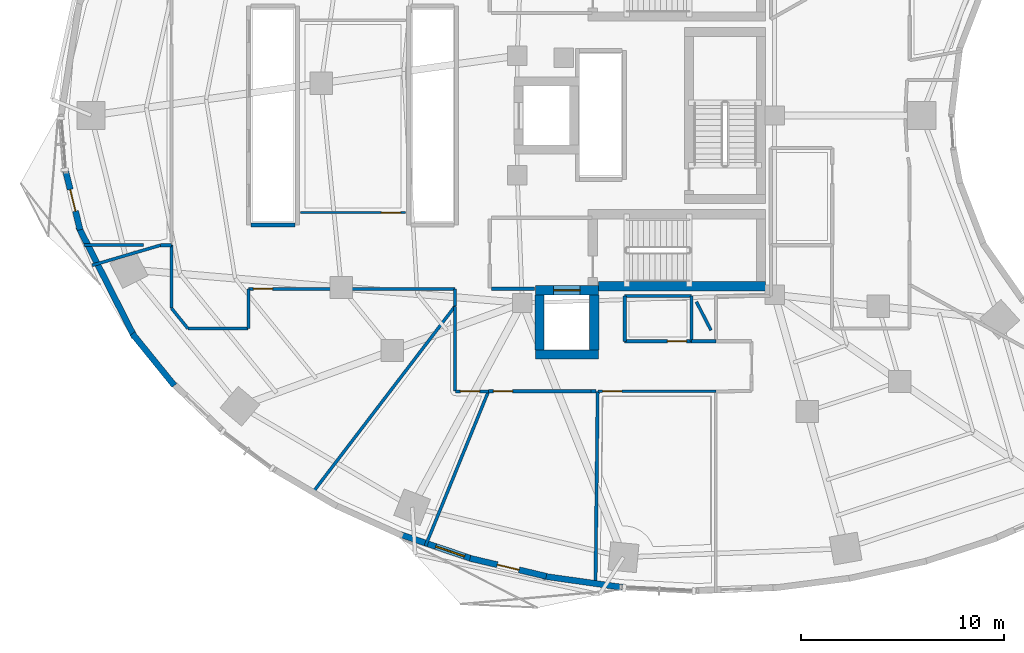
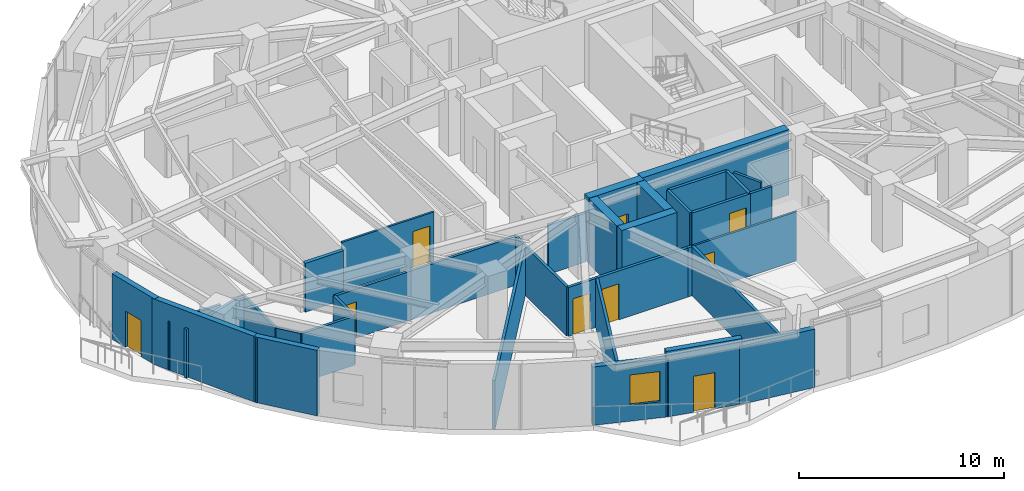
# One storey, part 8 of 15: 37 walls, 9 doors, 1 window, 10 openings.
"""IFC4 building model written with IfcOpenShell, lengths in metres."""

from ifc_helpers import new_model, si_unit, direction, frame, frame_2d, origin, place, context, subcontext, project, spatial, rectangle, extrude, material, layer, layer_set, type_object, element, fill, save


model = new_model("IFC4")

# Units and contexts
model_context = context("Model", 3, precision=1e-05, world=origin(), true_north=direction((0.0, 1.0)))
body_context = subcontext(model_context, "Body", "Model", "MODEL_VIEW")
ifc_project = project(units=[si_unit("LENGTHUNIT", "METRE"), si_unit("AREAUNIT", "SQUARE_METRE"), si_unit("VOLUMEUNIT", "CUBIC_METRE"), si_unit("PLANEANGLEUNIT", "RADIAN"), si_unit("MASSUNIT", "GRAM", prefix="KILO")], contexts=[model_context])

# Site, building, storey
site_placement = place(None, origin())
site = spatial("IfcSite", under=ifc_project, at=site_placement, CompositionType="ELEMENT")
building_placement = place(site_placement, origin())
building = spatial("IfcBuilding", under=site, at=building_placement, Name="Korentha Bioscience Tower", CompositionType="ELEMENT")
storey_placement = place(building_placement, frame((0.0, 0.0, 38.39990234375)))
storey = spatial("IfcBuildingStorey", under=building, at=storey_placement, Name="L08", CompositionType="ELEMENT", Elevation=38.39990234375)

# Wall, opening, door
ifc_material_1 = material(Name="Double-Stud Acoustic Gypsum", Category="gypsum")
ifc_layer_1 = layer(ifc_material_1, 0.14990234375, Name="Double-Stud Acoustic Gypsum")
ifc_layer_set_1 = layer_set([ifc_layer_1], Name="Double-Stud Acoustic Gypsum (IW-L150)")
wall_type_1 = type_object("IfcWallType", Name="Acoustic Laboratory Partition Wall 150", PredefinedType="PARTITIONING", material=ifc_layer_set_1)
wall_1_placement = place(storey_placement, frame((11.590087890625, 18.43994140625, 0.0), z_axis=(0.0, 0.0, 1.0), x_axis=(1.0, 0.0, 0.0)))
wall_1 = element("IfcWall", 1, at=wall_1_placement, inside=storey, type_object=wall_type_1, Name="L08 Research Colloquium Seminar Room 02 Entrance Wall", PredefinedType="PARTITIONING", context=body_context, shape_type="SweptSolid", body=[
    extrude(rectangle(XDim=10.199951171875, YDim=0.14990234375, at=frame_2d((5.10009765625, 0.0))), origin(), (0.0, 0.0, 1.0), 2.91015625),
])
opening_1_placement = place(wall_1_placement, frame((0.239990234375, 0.0, 0.0)))
opening_1 = element("IfcOpeningElement", 2, at=opening_1_placement, cuts=wall_1, Name="Opening ID-10R", PredefinedType="OPENING", context=body_context, shape_type="SweptSolid", body=[
    extrude(rectangle(XDim=0.949951171875, YDim=2.14990234375, at=frame_2d((0.47509765625, 1.074951171875))), frame((0.0, 0.08984375, 0.0), z_axis=(0.0, -1.0, 0.0), x_axis=(1.0, 0.0, 0.0)), (0.0, 0.0, 1.0), 0.1796875),
])
ifc_material_2 = material(Name="Phenolic Laminate Timber Core", Category="wood")
door_type_1 = type_object("IfcDoorType", Name="Laboratory Single Leaf Door 950x2150 Right", OperationType="SINGLE_SWING_RIGHT", PredefinedType="DOOR", material=ifc_material_2)
door_1_placement = place(opening_1_placement, origin())
door_1 = element("IfcDoor", 3, at=door_1_placement, inside=storey, type_object=door_type_1, Name="L08 Research Colloquium Seminar Room 02 Door", OperationType="SINGLE_SWING_RIGHT", OverallHeight=2.14990234375, OverallWidth=0.949951171875, PredefinedType="DOOR", context=body_context, shape_type="SweptSolid", body=[
    extrude(rectangle(XDim=0.949951171875, YDim=2.14990234375, at=frame_2d((0.47509765625, 1.074951171875))), frame((0.0, 0.02490234375, 0.0), z_axis=(0.0, -1.0, 0.0), x_axis=(1.0, 0.0, 0.0)), (0.0, 0.0, 1.0), 0.050048828125),
])
fill(opening_1, door_1)

wall_2_placement = place(storey_placement, frame((21.800048828125, 13.389892578125, 0.0), z_axis=(0.0, 0.0, 1.0), x_axis=(1.0, 0.0, 0.0)))
wall_2 = element("IfcWall", 4, at=wall_2_placement, inside=storey, type_object=wall_type_1, Name="L08 Staff Pantry Kitchenette 03 Entrance Wall", PredefinedType="PARTITIONING", context=body_context, shape_type="SweptSolid", body=[
    extrude(rectangle(XDim=1.629150390625, YDim=0.14990234375, at=frame_2d((0.814453125, 0.0))), origin(), (0.0, 0.0, 1.0), 2.91015625),
])
opening_2_placement = place(wall_2_placement, frame((0.239990234375, 0.0, 0.0)))
opening_2 = element("IfcOpeningElement", 5, at=opening_2_placement, cuts=wall_2, Name="Opening ID-10L", PredefinedType="OPENING", context=body_context, shape_type="SweptSolid", body=[
    extrude(rectangle(XDim=0.949951171875, YDim=2.14990234375, at=frame_2d((0.47509765625, 1.074951171875))), frame((0.0, 0.08984375, 0.0), z_axis=(0.0, -1.0, 0.0), x_axis=(1.0, 0.0, 0.0)), (0.0, 0.0, 1.0), 0.1796875),
])
door_type_2 = type_object("IfcDoorType", Name="Laboratory Single Leaf Door 950x2150 Left", OperationType="SINGLE_SWING_LEFT", PredefinedType="DOOR", material=ifc_material_2)
door_2_placement = place(opening_2_placement, origin())
door_2 = element("IfcDoor", 6, at=door_2_placement, inside=storey, type_object=door_type_2, Name="L08 Staff Pantry Kitchenette 03 Door", OperationType="SINGLE_SWING_LEFT", OverallHeight=2.14990234375, OverallWidth=0.949951171875, PredefinedType="DOOR", context=body_context, shape_type="SweptSolid", body=[
    extrude(rectangle(XDim=0.949951171875, YDim=2.14990234375, at=frame_2d((0.47509765625, 1.074951171875))), frame((0.0, 0.02490234375, 0.0), z_axis=(0.0, -1.0, 0.0), x_axis=(1.0, 0.0, 0.0)), (0.0, 0.0, 1.0), 0.050048828125),
])
fill(opening_2, door_2)

# Walls
wall_3_placement = place(storey_placement, frame((3.87939453125, 19.60546875, 0.0), z_axis=(0.0, 0.0, 1.0), x_axis=(0.959249199887, 0.282561449097, 0.0)))
element("IfcWall", 7, at=wall_3_placement, inside=storey, type_object=wall_type_1, Name="L08 Interior Partition 024", PredefinedType="PARTITIONING", context=body_context, shape_type="SweptSolid", body=[
    extrude(rectangle(XDim=3.51220703125, YDim=0.14990234375, at=frame_2d((1.756103515625, 0.0))), origin(), (0.0, 0.0, 1.0), 2.91015625),
])
wall_4_placement = place(storey_placement, frame((7.24853515625, 20.597900390625, 0.0), z_axis=(0.0, 0.0, 1.0), x_axis=(1.0, 0.0, 0.0)))
element("IfcWall", 8, at=wall_4_placement, inside=storey, type_object=wall_type_1, Name="L08 Interior Partition 025", PredefinedType="PARTITIONING", context=body_context, shape_type="SweptSolid", body=[
    extrude(rectangle(XDim=0.54150390625, YDim=0.14990234375, at=frame_2d((0.270751953125, 0.0))), origin(), (0.0, 0.0, 1.0), 2.91015625),
])
wall_5_placement = place(storey_placement, frame((7.7900390625, 20.597900390625, 0.0), z_axis=(0.0, 0.0, 1.0), x_axis=(0.0, -1.0, 0.0)))
element("IfcWall", 9, at=wall_5_placement, inside=storey, type_object=wall_type_1, Name="L08 Interior Partition 026", PredefinedType="PARTITIONING", context=body_context, shape_type="SweptSolid", body=[
    extrude(rectangle(XDim=3.09912109375, YDim=0.14990234375, at=frame_2d((1.549560546875, 0.0))), origin(), (0.0, 0.0, 1.0), 2.91015625),
])
wall_6_placement = place(storey_placement, frame((7.792236328125, 17.492431640625, 0.0), z_axis=(0.0, 0.0, 1.0), x_axis=(0.629225554682, -0.777222748854, 0.0)))
element("IfcWall", 10, at=wall_6_placement, inside=storey, type_object=wall_type_1, Name="L08 Interior Partition 027", PredefinedType="PARTITIONING", context=body_context, shape_type="SweptSolid", body=[
    extrude(rectangle(XDim=1.28515625, YDim=0.14990234375, at=frame_2d((0.642578125, 0.0))), origin(), (0.0, 0.0, 1.0), 2.91015625),
])
wall_7_placement = place(storey_placement, frame((8.608642578125, 16.489990234375, 0.0), z_axis=(0.0, 0.0, 1.0), x_axis=(1.0, 0.0, 0.0)))
element("IfcWall", 11, at=wall_7_placement, inside=storey, type_object=wall_type_1, Name="L08 Interior Partition 028", PredefinedType="PARTITIONING", context=body_context, shape_type="SweptSolid", body=[
    extrude(rectangle(XDim=2.971435546875, YDim=0.14990234375, at=frame_2d((1.48583984375, 0.0))), origin(), (0.0, 0.0, 1.0), 2.91015625),
])
wall_8_placement = place(storey_placement, frame((11.590087890625, 16.5, 0.0), z_axis=(0.0, 0.0, 1.0), x_axis=(0.0, 1.0, 0.0)))
element("IfcWall", 12, at=wall_8_placement, inside=storey, type_object=wall_type_1, Name="L08 Interior Partition 029", PredefinedType="PARTITIONING", context=body_context, shape_type="SweptSolid", body=[
    extrude(rectangle(XDim=1.93994140625, YDim=0.14990234375, at=frame_2d((0.969970703125, 0.0))), origin(), (0.0, 0.0, 1.0), 2.91015625),
])
wall_9_placement = place(storey_placement, frame((21.7900390625, 18.43994140625, 0.0), z_axis=(0.0, 0.0, 1.0), x_axis=(0.0, -1.0, 0.0)))
element("IfcWall", 13, at=wall_9_placement, inside=storey, type_object=wall_type_1, Name="L08 Interior Partition 030", PredefinedType="PARTITIONING", context=body_context, shape_type="SweptSolid", body=[
    extrude(rectangle(XDim=0.842041015625, YDim=0.14990234375, at=frame_2d((0.4208984375, 0.0))), origin(), (0.0, 0.0, 1.0), 2.91015625),
])
wall_10_placement = place(storey_placement, frame((21.7900390625, 17.597900390625, 0.0), z_axis=(0.0, 0.0, 1.0), x_axis=(-0.606985155119, -0.794713169304, 0.0)))
element("IfcWall", 14, at=wall_10_placement, inside=storey, type_object=wall_type_1, Name="L08 Interior Partition 031", PredefinedType="PARTITIONING", context=body_context, shape_type="SweptSolid", body=[
    extrude(rectangle(XDim=11.67724609375, YDim=0.14990234375, at=frame_2d((5.838623046875, 0.0))), origin(), (0.0, 0.0, 1.0), 2.91015625),
])
wall_11_placement = place(storey_placement, frame((21.7900390625, 17.581298828125, 0.0), z_axis=(0.0, 0.0, 1.0), x_axis=(0.0, -1.0, 0.0)))
element("IfcWall", 15, at=wall_11_placement, inside=storey, type_object=wall_type_1, Name="L08 Interior Partition 032", PredefinedType="PARTITIONING", context=body_context, shape_type="SweptSolid", body=[
    extrude(rectangle(XDim=4.181396484375, YDim=0.14990234375, at=frame_2d((2.0908203125, 0.0))), origin(), (0.0, 0.0, 1.0), 2.91015625),
])
wall_12_placement = place(storey_placement, frame((23.42919921875, 13.389892578125, 0.0), z_axis=(0.0, 0.0, 1.0), x_axis=(-0.377151920135, -0.926151407243, 0.0)))
element("IfcWall", 16, at=wall_12_placement, inside=storey, type_object=wall_type_1, Name="L08 Interior Partition 033", PredefinedType="PARTITIONING", context=body_context, shape_type="SweptSolid", body=[
    extrude(rectangle(XDim=8.238525390625, YDim=0.14990234375, at=frame_2d((4.119140625, 0.0))), origin(), (0.0, 0.0, 1.0), 2.91015625),
])
wall_13_placement = place(storey_placement, frame((34.64794921875, 15.860107421875, 0.0), z_axis=(0.0, 0.0, 1.0), x_axis=(-1.0, 0.0, 0.0)))
element("IfcWall", 17, at=wall_13_placement, inside=storey, type_object=wall_type_1, Name="L08 Interior Partition 049", PredefinedType="PARTITIONING", context=body_context, shape_type="SweptSolid", body=[
    extrude(rectangle(XDim=1.18798828125, YDim=0.14990234375, at=frame_2d((0.593994140625, 0.0))), origin(), (0.0, 0.0, 1.0), 2.91015625),
])
wall_14_placement = place(storey_placement, frame((33.68994140625, 17.80712890625, 0.0), z_axis=(0.0, 0.0, 1.0), x_axis=(0.45676175153, -0.889589063747, 0.0)))
element("IfcWall", 18, at=wall_14_placement, inside=storey, type_object=wall_type_1, Name="L08 Interior Partition 050", PredefinedType="PARTITIONING", context=body_context, shape_type="SweptSolid", body=[
    extrude(rectangle(XDim=1.5810546875, YDim=0.14990234375, at=frame_2d((0.79052734375, 0.0))), origin(), (0.0, 0.0, 1.0), 2.91015625),
])
wall_15_placement = place(storey_placement, frame((6.412841796875, 20.60205078125, 0.0), z_axis=(0.0, 0.0, 1.0), x_axis=(-1.0, 0.0, 0.0)))
element("IfcWall", 19, at=wall_15_placement, inside=storey, type_object=wall_type_1, Name="L08 Interior Partition 082", PredefinedType="PARTITIONING", context=body_context, shape_type="SweptSolid", body=[
    extrude(rectangle(XDim=2.928955078125, YDim=0.14990234375, at=frame_2d((1.46435546875, 0.0))), origin(), (0.0, 0.0, 1.0), 2.91015625),
])

# Wall, opening, door
ifc_material_3 = material(Name="Fire-Rated Framed Glass", Category="glass")
ifc_layer_2 = layer(ifc_material_3, 0.110107421875, Name="Fire-Rated Framed Glass")
ifc_layer_set_2 = layer_set([ifc_layer_2], Name="Fire-Rated Framed Glass (IW-G110)")
wall_type_2 = type_object("IfcWallType", Name="Demountable Glazed Office Partition 110", PredefinedType="MOVABLE", material=ifc_layer_set_2)
wall_16_placement = place(storey_placement, frame((19.340087890625, 22.2099609375, 0.0), z_axis=(0.0, 0.0, 1.0), x_axis=(-1.0, 0.0, 0.0)))
wall_16 = element("IfcWall", 20, at=wall_16_placement, inside=storey, type_object=wall_type_2, Name="L08 Principal Investigator Office 01 Entrance Wall", PredefinedType="MOVABLE", context=body_context, shape_type="SweptSolid", body=[
    extrude(rectangle(XDim=5.18017578125, YDim=0.110107421875, at=frame_2d((2.590087890625, 0.0))), origin(), (0.0, 0.0, 1.0), 2.91015625),
])
opening_3_placement = place(wall_16_placement, frame((0.239990234375, 0.0, 0.0)))
opening_3 = element("IfcOpeningElement", 21, at=opening_3_placement, cuts=wall_16, Name="Opening ID-10L", PredefinedType="OPENING", context=body_context, shape_type="SweptSolid", body=[
    extrude(rectangle(XDim=0.949951171875, YDim=2.14990234375, at=frame_2d((0.47509765625, 1.074951171875))), frame((0.0, 0.06982421875, 0.0), z_axis=(0.0, -1.0, 0.0), x_axis=(1.0, 0.0, 0.0)), (0.0, 0.0, 1.0), 0.139892578125),
])
door_3_placement = place(opening_3_placement, origin())
door_3 = element("IfcDoor", 22, at=door_3_placement, inside=storey, type_object=door_type_2, Name="L08 Principal Investigator Office 01 Door", OperationType="SINGLE_SWING_LEFT", OverallHeight=2.14990234375, OverallWidth=0.949951171875, PredefinedType="DOOR", context=body_context, shape_type="SweptSolid", body=[
    extrude(rectangle(XDim=0.949951171875, YDim=2.14990234375, at=frame_2d((0.47509765625, 1.074951171875))), frame((0.0, 0.02490234375, 0.0), z_axis=(0.0, -1.0, 0.0), x_axis=(1.0, 0.0, 0.0)), (0.0, 0.0, 1.0), 0.050048828125),
])
fill(opening_3, door_3)

wall_17_placement = place(storey_placement, frame((28.828857421875, 13.389892578125, 0.0), z_axis=(0.0, 0.0, 1.0), x_axis=(1.0, 0.0, 0.0)))
wall_17 = element("IfcWall", 23, at=wall_17_placement, inside=storey, type_object=wall_type_2, Name="L08 Clinical Advisory Boardroom 05 Entrance Wall", PredefinedType="MOVABLE", context=body_context, shape_type="SweptSolid", body=[
    extrude(rectangle(XDim=5.819091796875, YDim=0.110107421875, at=frame_2d((2.90966796875, 0.0))), origin(), (0.0, 0.0, 1.0), 2.91015625),
])
opening_4_placement = place(wall_17_placement, frame((0.239990234375, 0.0, 0.0)))
opening_4 = element("IfcOpeningElement", 24, at=opening_4_placement, cuts=wall_17, Name="Opening ID-10L", PredefinedType="OPENING", context=body_context, shape_type="SweptSolid", body=[
    extrude(rectangle(XDim=0.949951171875, YDim=2.14990234375, at=frame_2d((0.47509765625, 1.074951171875))), frame((0.0, 0.06982421875, 0.0), z_axis=(0.0, -1.0, 0.0), x_axis=(1.0, 0.0, 0.0)), (0.0, 0.0, 1.0), 0.139892578125),
])
door_4_placement = place(opening_4_placement, origin())
door_4 = element("IfcDoor", 25, at=door_4_placement, inside=storey, type_object=door_type_2, Name="L08 Clinical Advisory Boardroom 05 Door", OperationType="SINGLE_SWING_LEFT", OverallHeight=2.14990234375, OverallWidth=0.949951171875, PredefinedType="DOOR", context=body_context, shape_type="SweptSolid", body=[
    extrude(rectangle(XDim=0.949951171875, YDim=2.14990234375, at=frame_2d((0.47509765625, 1.074951171875))), frame((0.0, 0.02490234375, 0.0), z_axis=(0.0, -1.0, 0.0), x_axis=(1.0, 0.0, 0.0)), (0.0, 0.0, 1.0), 0.050048828125),
])
fill(opening_4, door_4)

# Wall
ifc_material_4 = material(Name="Gypsum-Clad Steel Stud", Category="steel")
ifc_layer_3 = layer(ifc_material_4, 0.159912109375, Name="Gypsum-Clad Steel Stud")
ifc_layer_set_3 = layer_set([ifc_layer_3], Name="Gypsum-Clad Steel Stud (IW-C160)")
wall_type_3 = type_object("IfcWallType", Name="Fire-Rated Corridor Partition Wall 160", PredefinedType="PARTITIONING", material=ifc_layer_set_3)
wall_18_placement = place(storey_placement, frame((23.580078125, 18.449951171875, 0.0), z_axis=(0.0, 0.0, 1.0), x_axis=(1.0, 0.0, 0.0)))
element("IfcWall", 26, at=wall_18_placement, inside=storey, type_object=wall_type_3, Name="L08 Firefighting Lobby Return Wall FFLS-S", PredefinedType="PARTITIONING", context=body_context, shape_type="SweptSolid", body=[
    extrude(rectangle(XDim=2.119873046875, YDim=0.159912109375, at=frame_2d((1.06005859375, 0.0))), origin(), (0.0, 0.0, 1.0), 2.91015625),
])

# Wall, opening, door
wall_19_placement = place(storey_placement, frame((33.449951171875, 15.860107421875, 0.0), z_axis=(0.0, 0.0, 1.0), x_axis=(-1.0, 0.0, 0.0)))
wall_19 = element("IfcWall", 27, at=wall_19_placement, inside=storey, type_object=wall_type_3, Name="L08 Core Instrumentation and Gas Store Entrance Wall", PredefinedType="PARTITIONING", context=body_context, shape_type="SweptSolid", body=[
    extrude(rectangle(XDim=3.300048828125, YDim=0.159912109375, at=frame_2d((1.64990234375, 0.0))), origin(), (0.0, 0.0, 1.0), 2.91015625),
])
opening_5_placement = place(wall_19_placement, frame((0.239990234375, 0.0, 0.0)))
opening_5 = element("IfcOpeningElement", 28, at=opening_5_placement, cuts=wall_19, Name="Opening ID-10L", PredefinedType="OPENING", context=body_context, shape_type="SweptSolid", body=[
    extrude(rectangle(XDim=0.949951171875, YDim=2.14990234375, at=frame_2d((0.47509765625, 1.074951171875))), frame((0.0, 0.0947265625, 0.0), z_axis=(0.0, -1.0, 0.0), x_axis=(1.0, 0.0, 0.0)), (0.0, 0.0, 1.0), 0.189697265625),
])
door_5_placement = place(opening_5_placement, origin())
door_5 = element("IfcDoor", 29, at=door_5_placement, inside=storey, type_object=door_type_2, Name="L08 Core Instrumentation and Gas Store Door", OperationType="SINGLE_SWING_LEFT", OverallHeight=2.14990234375, OverallWidth=0.949951171875, PredefinedType="DOOR", context=body_context, shape_type="SweptSolid", body=[
    extrude(rectangle(XDim=0.949951171875, YDim=2.14990234375, at=frame_2d((0.47509765625, 1.074951171875))), frame((0.0, 0.02490234375, 0.0), z_axis=(0.0, -1.0, 0.0), x_axis=(1.0, 0.0, 0.0)), (0.0, 0.0, 1.0), 0.050048828125),
])
fill(opening_5, door_5)

wall_20_placement = place(storey_placement, frame((23.439208984375, 13.389892578125, 0.0), z_axis=(0.0, 0.0, 1.0), x_axis=(1.0, 0.0, 0.0)))
wall_20 = element("IfcWall", 30, at=wall_20_placement, inside=storey, type_object=wall_type_3, Name="L08 Biospecimen Archive Store 04 Entrance Wall", PredefinedType="PARTITIONING", context=body_context, shape_type="SweptSolid", body=[
    extrude(rectangle(XDim=5.060791015625, YDim=0.159912109375, at=frame_2d((2.5302734375, 0.0))), origin(), (0.0, 0.0, 1.0), 2.91015625),
])
opening_6_placement = place(wall_20_placement, frame((0.239990234375, 0.0, 0.0)))
opening_6 = element("IfcOpeningElement", 31, at=opening_6_placement, cuts=wall_20, Name="Opening ID-10R", PredefinedType="OPENING", context=body_context, shape_type="SweptSolid", body=[
    extrude(rectangle(XDim=0.949951171875, YDim=2.14990234375, at=frame_2d((0.47509765625, 1.074951171875))), frame((0.0, 0.0947265625, 0.0), z_axis=(0.0, -1.0, 0.0), x_axis=(1.0, 0.0, 0.0)), (0.0, 0.0, 1.0), 0.189697265625),
])
door_6_placement = place(opening_6_placement, origin())
door_6 = element("IfcDoor", 32, at=door_6_placement, inside=storey, type_object=door_type_1, Name="L08 Biospecimen Archive Store 04 Door", OperationType="SINGLE_SWING_RIGHT", OverallHeight=2.14990234375, OverallWidth=0.949951171875, PredefinedType="DOOR", context=body_context, shape_type="SweptSolid", body=[
    extrude(rectangle(XDim=0.949951171875, YDim=2.14990234375, at=frame_2d((0.47509765625, 1.074951171875))), frame((0.0, 0.02490234375, 0.0), z_axis=(0.0, -1.0, 0.0), x_axis=(1.0, 0.0, 0.0)), (0.0, 0.0, 1.0), 0.050048828125),
])
fill(opening_6, door_6)

# Walls
wall_21_placement = place(storey_placement, frame((30.14990234375, 15.860107421875, 0.0), z_axis=(0.0, 0.0, 1.0), x_axis=(0.0, 1.0, 0.0)))
element("IfcWall", 33, at=wall_21_placement, inside=storey, type_object=wall_type_3, Name="L08 Interior Partition 018", PredefinedType="PARTITIONING", context=body_context, shape_type="SweptSolid", body=[
    extrude(rectangle(XDim=2.22998046875, YDim=0.159912109375, at=frame_2d((1.114990234375, 0.0))), origin(), (0.0, 0.0, 1.0), 2.91015625),
])
wall_22_placement = place(storey_placement, frame((30.14990234375, 18.090087890625, 0.0), z_axis=(0.0, 0.0, 1.0), x_axis=(1.0, 0.0, 0.0)))
element("IfcWall", 34, at=wall_22_placement, inside=storey, type_object=wall_type_3, Name="L08 Interior Partition 019", PredefinedType="PARTITIONING", context=body_context, shape_type="SweptSolid", body=[
    extrude(rectangle(XDim=3.300048828125, YDim=0.159912109375, at=frame_2d((1.64990234375, 0.0))), origin(), (0.0, 0.0, 1.0), 2.91015625),
])
wall_23_placement = place(storey_placement, frame((33.449951171875, 18.090087890625, 0.0), z_axis=(0.0, 0.0, 1.0), x_axis=(0.0, -1.0, 0.0)))
element("IfcWall", 35, at=wall_23_placement, inside=storey, type_object=wall_type_3, Name="L08 Interior Partition 020", PredefinedType="PARTITIONING", context=body_context, shape_type="SweptSolid", body=[
    extrude(rectangle(XDim=2.22998046875, YDim=0.159912109375, at=frame_2d((1.114990234375, 0.0))), origin(), (0.0, 0.0, 1.0), 2.91015625),
])
wall_24_placement = place(storey_placement, frame((28.5, 13.389892578125, 0.0), z_axis=(0.0, 0.0, 1.0), x_axis=(1.0, 0.0, 0.0)))
element("IfcWall", 36, at=wall_24_placement, inside=storey, type_object=wall_type_3, Name="L08 Interior Partition 034", PredefinedType="PARTITIONING", context=body_context, shape_type="SweptSolid", body=[
    extrude(rectangle(XDim=0.23583984375, YDim=0.159912109375, at=frame_2d((0.117919921875, 0.0))), origin(), (0.0, 0.0, 1.0), 2.91015625),
])
wall_25_placement = place(storey_placement, frame((28.81884765625, 13.389892578125, 0.0), z_axis=(0.0, 0.0, 1.0), x_axis=(-0.011213820346, -0.99993712314, 0.0)))
element("IfcWall", 37, at=wall_25_placement, inside=storey, type_object=wall_type_3, Name="L08 Interior Partition 035", PredefinedType="PARTITIONING", context=body_context, shape_type="SweptSolid", body=[
    extrude(rectangle(XDim=9.60107421875, YDim=0.159912109375, at=frame_2d((4.800537109375, 0.0))), origin(), (0.0, 0.0, 1.0), 2.91015625),
])

# Wall, opening, door
ifc_material_5 = material(Name="Honed Limestone Precast Concrete C40", Category="masonry")
ifc_layer_4 = layer(ifc_material_5, 0.300048828125, Name="Honed Limestone Precast Concrete C40")
ifc_layer_set_4 = layer_set([ifc_layer_4], Name="Honed Limestone Precast Concrete C40 (EW-ST300)")
wall_type_4 = type_object("IfcWallType", Name="Honed Limestone Cavity Spandrel Wall 300", PredefinedType="STANDARD", material=ifc_layer_set_4)
wall_26_placement = place(storey_placement, frame((2.57080078125, 24.265869140625, 0.0), z_axis=(0.0, 0.0, 1.0), x_axis=(0.238522035896, -0.971137085273, 0.0)))
wall_26 = element("IfcWall", 38, at=wall_26_placement, inside=storey, type_object=wall_type_4, Name="L08 Balcony Threshold Wall 02", PredefinedType="STANDARD", context=body_context, shape_type="SweptSolid", body=[
    extrude(rectangle(XDim=2.992919921875, YDim=0.300048828125, at=frame_2d((1.49658203125, 0.0))), origin(), (0.0, 0.0, 1.0), 3.900146484375),
])
opening_7_placement = place(wall_26_placement, frame((0.9462890625, 0.0, 0.0)))
opening_7 = element("IfcOpeningElement", 39, at=opening_7_placement, cuts=wall_26, Name="Opening BD-11R", PredefinedType="OPENING", context=body_context, shape_type="SweptSolid", body=[
    extrude(rectangle(XDim=1.10009765625, YDim=2.14990234375, at=frame_2d((0.550048828125, 1.074951171875))), frame((0.0, 0.1650390625, 0.0), z_axis=(0.0, -1.0, 0.0), x_axis=(1.0, 0.0, 0.0)), (0.0, 0.0, 1.0), 0.329833984375),
])
ifc_material_6 = material(Name="Thermally Broken Glazed Aluminium", Category="aluminium")
door_type_3 = type_object("IfcDoorType", Name="Balcony Terrace Glazed Door 1100x2150 Right", OperationType="SINGLE_SWING_RIGHT", PredefinedType="DOOR", material=ifc_material_6)
door_7_placement = place(opening_7_placement, origin())
door_7 = element("IfcDoor", 40, at=door_7_placement, inside=storey, type_object=door_type_3, Name="L08 Balcony Access Door 02", OperationType="SINGLE_SWING_RIGHT", OverallHeight=2.14990234375, OverallWidth=1.10009765625, PredefinedType="DOOR", context=body_context, shape_type="SweptSolid", body=[
    extrude(rectangle(XDim=1.10009765625, YDim=2.14990234375, at=frame_2d((0.550048828125, 1.074951171875))), frame((0.0, 0.02490234375, 0.0), z_axis=(0.0, -1.0, 0.0), x_axis=(1.0, 0.0, 0.0)), (0.0, 0.0, 1.0), 0.050048828125),
])
fill(opening_7, door_7)

# Wall, opening, window
wall_27_placement = place(storey_placement, frame((19.0654296875, 6.333251953125, 0.0), z_axis=(0.0, 0.0, 1.0), x_axis=(0.947034337234, -0.321132315564, 0.0)))
wall_27 = element("IfcWall", 41, at=wall_27_placement, inside=storey, type_object=wall_type_4, Name="L08 Honed Limestone Spandrel Wall 28", PredefinedType="STANDARD", context=body_context, shape_type="SweptSolid", body=[
    extrude(rectangle(XDim=3.789794921875, YDim=0.300048828125, at=frame_2d((1.89501953125, 0.0))), origin(), (0.0, 0.0, 1.0), 3.47021484375),
])
opening_8_placement = place(wall_27_placement, frame((1.86572265625, 0.0, 0.949951171875)))
opening_8 = element("IfcOpeningElement", 42, at=opening_8_placement, cuts=wall_27, Name="Opening WN-02", PredefinedType="OPENING", context=body_context, shape_type="SweptSolid", body=[
    extrude(rectangle(XDim=1.5, YDim=1.800048828125, at=frame_2d((0.75, 0.89990234375))), frame((0.0, 0.1650390625, 0.0), z_axis=(0.0, -1.0, 0.0), x_axis=(1.0, 0.0, 0.0)), (0.0, 0.0, 1.0), 0.329833984375),
])
ifc_material_7 = material(Name="Thermally Broken Aluminium Triple Glazing", Category="aluminium")
window_type = type_object("IfcWindowType", Name="Acoustic Operable Office Window 1500x1800", PartitioningType="DOUBLE_PANEL_VERTICAL", PredefinedType="WINDOW", material=ifc_material_7)
window_placement = place(opening_8_placement, origin())
window = element("IfcWindow", 43, at=window_placement, inside=storey, type_object=window_type, Name="L08 Facade Window 28", OverallHeight=1.800048828125, OverallWidth=1.5, PartitioningType="DOUBLE_PANEL_VERTICAL", PredefinedType="WINDOW", context=body_context, shape_type="SweptSolid", body=[
    extrude(rectangle(XDim=1.5, YDim=1.800048828125, at=frame_2d((0.75, 0.89990234375))), frame((0.0, 0.030029296875, 0.0), z_axis=(0.0, -1.0, 0.0), x_axis=(1.0, 0.0, 0.0)), (0.0, 0.0, 1.0), 0.06005859375),
])
fill(opening_8, window)

# Wall, opening, door
wall_28_placement = place(storey_placement, frame((22.524658203125, 5.1533203125, 0.0), z_axis=(0.0, 0.0, 1.0), x_axis=(0.973186156802, -0.230018921417, 0.0)))
wall_28 = element("IfcWall", 44, at=wall_28_placement, inside=storey, type_object=wall_type_4, Name="L08 Balcony Threshold Wall 03", PredefinedType="STANDARD", context=body_context, shape_type="SweptSolid", body=[
    extrude(rectangle(XDim=3.861328125, YDim=0.300048828125, at=frame_2d((1.9306640625, 0.0))), origin(), (0.0, 0.0, 1.0), 3.900146484375),
])
opening_9_placement = place(wall_28_placement, frame((1.380615234375, 0.0, 0.0)))
opening_9 = element("IfcOpeningElement", 45, at=opening_9_placement, cuts=wall_28, Name="Opening BD-11L", PredefinedType="OPENING", context=body_context, shape_type="SweptSolid", body=[
    extrude(rectangle(XDim=1.10009765625, YDim=2.14990234375, at=frame_2d((0.550048828125, 1.074951171875))), frame((0.0, 0.1650390625, 0.0), z_axis=(0.0, -1.0, 0.0), x_axis=(1.0, 0.0, 0.0)), (0.0, 0.0, 1.0), 0.329833984375),
])
door_type_4 = type_object("IfcDoorType", Name="Balcony Terrace Glazed Door 1100x2150 Left", OperationType="SINGLE_SWING_LEFT", PredefinedType="DOOR", material=ifc_material_6)
door_8_placement = place(opening_9_placement, origin())
door_8 = element("IfcDoor", 46, at=door_8_placement, inside=storey, type_object=door_type_4, Name="L08 Balcony Access Door 03", OperationType="SINGLE_SWING_LEFT", OverallHeight=2.14990234375, OverallWidth=1.10009765625, PredefinedType="DOOR", context=body_context, shape_type="SweptSolid", body=[
    extrude(rectangle(XDim=1.10009765625, YDim=2.14990234375, at=frame_2d((0.550048828125, 1.074951171875))), frame((0.0, 0.02490234375, 0.0), z_axis=(0.0, -1.0, 0.0), x_axis=(1.0, 0.0, 0.0)), (0.0, 0.0, 1.0), 0.050048828125),
])
fill(opening_9, door_8)

# Walls
wall_29_placement = place(storey_placement, frame((3.20361328125, 21.514404296875, 0.0), z_axis=(0.0, 0.0, 1.0), x_axis=(0.453093111502, -0.891463197395, 0.0)))
element("IfcWall", 47, at=wall_29_placement, inside=storey, type_object=wall_type_4, Name="L08 Limestone Perimeter Closure Wall 21", PredefinedType="STANDARD", context=body_context, shape_type="SweptSolid", body=[
    extrude(rectangle(XDim=6.102294921875, YDim=0.300048828125, at=frame_2d((3.05126953125, 0.0))), origin(), (0.0, 0.0, 1.0), 3.900146484375),
])
wall_30_placement = place(storey_placement, frame((5.86572265625, 16.232666015625, 0.0), z_axis=(0.0, 0.0, 1.0), x_axis=(0.629221727718, -0.777225847079, 0.0)))
element("IfcWall", 48, at=wall_30_placement, inside=storey, type_object=wall_type_4, Name="L08 Limestone Perimeter Closure Wall 23", PredefinedType="STANDARD", context=body_context, shape_type="SweptSolid", body=[
    extrude(rectangle(XDim=3.28759765625, YDim=0.300048828125, at=frame_2d((1.643798828125, 0.0))), origin(), (0.0, 0.0, 1.0), 3.900146484375),
])
wall_31_placement = place(storey_placement, frame((26.127685546875, 4.273193359375, 0.0), z_axis=(0.0, 0.0, 1.0), x_axis=(0.990165832998, -0.139898617443, 0.0)))
element("IfcWall", 49, at=wall_31_placement, inside=storey, type_object=wall_type_4, Name="L08 Limestone Perimeter Closure Wall 30", PredefinedType="STANDARD", context=body_context, shape_type="SweptSolid", body=[
    extrude(rectangle(XDim=3.950927734375, YDim=0.300048828125, at=frame_2d((1.9755859375, 0.0))), origin(), (0.0, 0.0, 1.0), 3.47021484375),
])
ifc_material_8 = material(Name="Autoclaved Aerated Concrete Block C25", Category="concrete")
ifc_layer_5 = layer(ifc_material_8, 0.199951171875, Name="Autoclaved Aerated Concrete Block C25")
ifc_layer_set_5 = layer_set([ifc_layer_5], Name="Autoclaved Aerated Concrete Block C25 (IW-S200)")
wall_type_5 = type_object("IfcWallType", Name="Lift and Riser Shaft Enclosure Wall 200", PredefinedType="PARTITIONING", material=ifc_layer_set_5)
wall_32_placement = place(storey_placement, frame((11.719970703125, 21.60009765625, 0.0), z_axis=(0.0, 0.0, 1.0), x_axis=(1.0, 0.0, 0.0)))
element("IfcWall", 50, at=wall_32_placement, inside=storey, type_object=wall_type_5, Name="L08 Lift Bank LOW Shaft Wall -Y", PredefinedType="PARTITIONING", context=body_context, shape_type="SweptSolid", body=[
    extrude(rectangle(XDim=2.159912109375, YDim=0.199951171875, at=frame_2d((1.080078125, 0.0))), origin(), (0.0, 0.0, 1.0), 2.91015625),
])
ifc_material_9 = material(Name="Concrete C80", Category="concrete")
ifc_layer_6 = layer(ifc_material_9, 0.449951171875, Name="Concrete C80")
ifc_layer_set_6 = layer_set([ifc_layer_6], Name="Concrete C80 (CW-C80)")
wall_type_6 = type_object("IfcWallType", Name="Lower Core Shear Wall 450", PredefinedType="SHEAR", material=ifc_layer_set_6)
wall_33_placement = place(storey_placement, frame((28.85205078125, 18.574951171875, 0.0), z_axis=(0.0, 0.0, 1.0), x_axis=(1.0, 0.0, 0.0)))
element("IfcWall", 51, at=wall_33_placement, inside=storey, type_object=wall_type_6, Name="L08 Core Shear Wall ST2-S", PredefinedType="SHEAR", context=body_context, shape_type="SweptSolid", body=[
    extrude(rectangle(XDim=8.248046875, YDim=0.449951171875, at=frame_2d((4.1240234375, 0.0))), origin(), (0.0, 0.0, 1.0), 3.900146484375),
])
wall_34_placement = place(storey_placement, frame((25.75, 15.199951171875, 0.0), z_axis=(0.0, 0.0, 1.0), x_axis=(1.0, 0.0, 0.0)))
element("IfcWall", 52, at=wall_34_placement, inside=storey, type_object=wall_type_6, Name="L08 Core Shear Wall FFL1-S", PredefinedType="SHEAR", context=body_context, shape_type="SweptSolid", body=[
    extrude(rectangle(XDim=3.10009765625, YDim=0.449951171875, at=frame_2d((1.550048828125, 0.0))), origin(), (0.0, 0.0, 1.0), 3.900146484375),
])

# Wall, opening, door
wall_35_placement = place(storey_placement, frame((25.75, 18.3798828125, 0.0), z_axis=(0.0, 0.0, 1.0), x_axis=(1.0, 0.0, 0.0)))
wall_35 = element("IfcWall", 53, at=wall_35_placement, inside=storey, type_object=wall_type_6, Name="L08 Core Shear Wall FFL1-N", PredefinedType="SHEAR", context=body_context, shape_type="SweptSolid", body=[
    extrude(rectangle(XDim=3.10009765625, YDim=0.449951171875, at=frame_2d((1.550048828125, 0.0))), origin(), (0.0, 0.0, 1.0), 3.900146484375),
])
opening_10_placement = place(wall_35_placement, frame((0.89990234375, 0.0, 0.0)))
opening_10 = element("IfcOpeningElement", 54, at=opening_10_placement, cuts=wall_35, Name="Opening LD-13", PredefinedType="OPENING", context=body_context, shape_type="SweptSolid", body=[
    extrude(rectangle(XDim=1.300048828125, YDim=2.199951171875, at=frame_2d((0.64990234375, 1.10009765625))), frame((0.0, 0.23974609375, 0.0), z_axis=(0.0, -1.0, 0.0), x_axis=(1.0, 0.0, 0.0)), (0.0, 0.0, 1.0), 0.479736328125),
])
ifc_material_10 = material(Name="Brushed Stainless Steel 316", Category="steel")
door_type_5 = type_object("IfcDoorType", Name="Service & Firefighting Lift Landing Door 1300x2300", OperationType="DOUBLE_DOOR_SLIDING", PredefinedType="DOOR", material=ifc_material_10)
door_9_placement = place(opening_10_placement, origin())
door_9 = element("IfcDoor", 55, at=door_9_placement, inside=storey, type_object=door_type_5, Name="L08 FFL-1 Sliding Lift Landing Door", OperationType="DOUBLE_DOOR_SLIDING", OverallHeight=2.199951171875, OverallWidth=1.300048828125, PredefinedType="DOOR", context=body_context, shape_type="SweptSolid", body=[
    extrude(rectangle(XDim=1.300048828125, YDim=2.199951171875, at=frame_2d((0.64990234375, 1.10009765625))), frame((0.0, 0.02490234375, 0.0), z_axis=(0.0, -1.0, 0.0), x_axis=(1.0, 0.0, 0.0)), (0.0, 0.0, 1.0), 0.050048828125),
])
fill(opening_10, door_9)

# Walls
for number, where, z_axis, x_axis, name in (
    (56, (25.949951171875, 15.43994140625, 0.0), (0.0, 0.0, 1.0), (0.0, 1.0, 0.0), "L08 Core Shear Wall FFL1-W"),
    (57, (28.64990234375, 15.43994140625, 0.0), (0.0, 0.0, 1.0), (0.0, 1.0, 0.0), "L08 Core Shear Wall FFL1-E"),
):
    element("IfcWall", number, at=place(storey_placement, frame(where, z_axis=z_axis, x_axis=x_axis)), inside=storey, type_object=wall_type_6, Name=name, PredefinedType="SHEAR", context=body_context, shape_type="SweptSolid", body=[
        extrude(rectangle(XDim=2.699951171875, YDim=0.449951171875, at=frame_2d((1.35009765625, 0.0))), origin(), (0.0, 0.0, 1.0), 3.900146484375),
    ])

save(model, "model.ifc")
